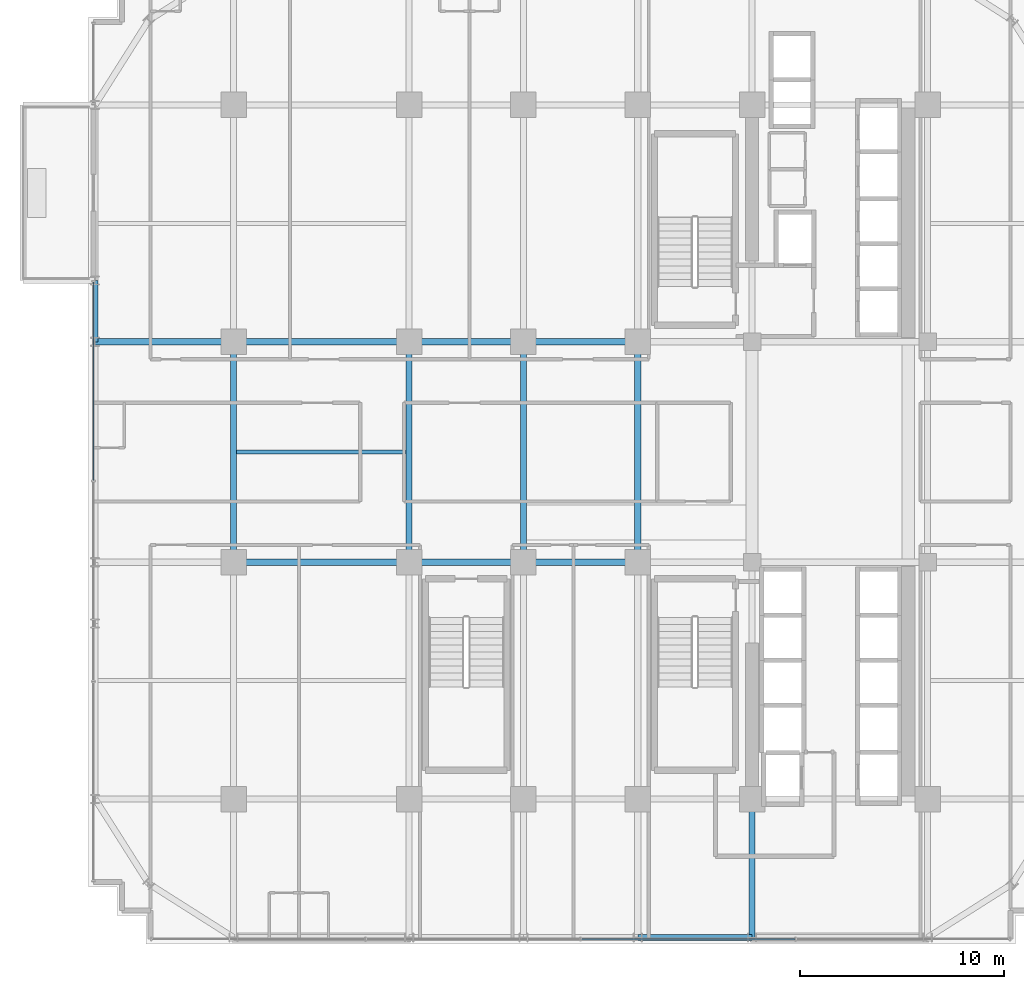
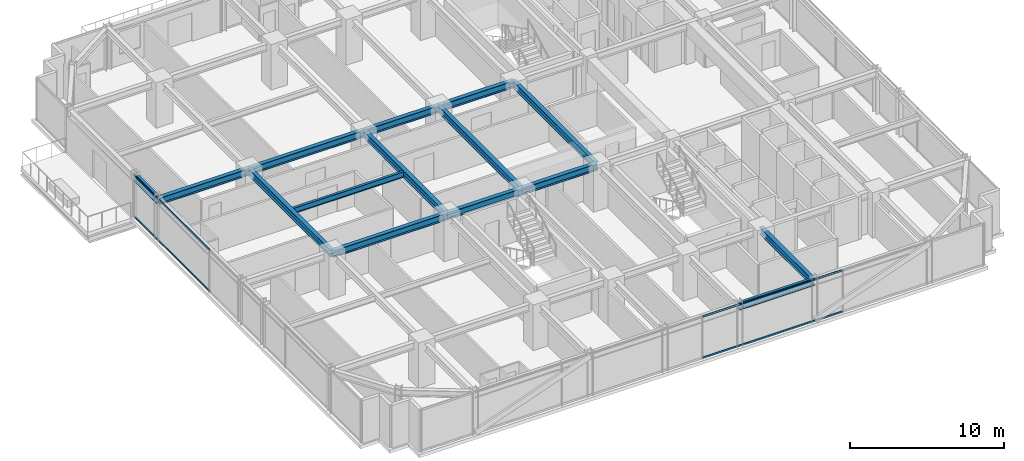
# One storey, part 9 of 35: 15 beams, 4 members, 2 elements without a shape of their own.
"""IFC4 building model written with IfcOpenShell, lengths in metres."""

from ifc_helpers import new_model, si_unit, direction, frame, origin, origin_2d, place, context, subcontext, project, spatial, hollow_rectangle, i_section, extrude, source, transform, mapped, material, material_profile, profile_set, type_object, element, aggregate, save


model = new_model("IFC4")

# Units and contexts
model_context = context("Model", 3, precision=1e-05, world=origin(), true_north=direction((0.0, 1.0)))
body_context = subcontext(model_context, "Body", "Model", "MODEL_VIEW")
ifc_project = project(units=[si_unit("LENGTHUNIT", "METRE"), si_unit("AREAUNIT", "SQUARE_METRE"), si_unit("VOLUMEUNIT", "CUBIC_METRE"), si_unit("PLANEANGLEUNIT", "RADIAN"), si_unit("MASSUNIT", "GRAM", prefix="KILO")], contexts=[model_context])

# Site, building, storey
site_placement = place(None, origin())
site = spatial("IfcSite", under=ifc_project, at=site_placement, CompositionType="ELEMENT")
building_placement = place(site_placement, origin())
building = spatial("IfcBuilding", under=site, at=building_placement, Name="Nahalor Promenade Grand Hotel", CompositionType="ELEMENT")
storey_placement = place(building_placement, frame((0.0, 0.0, 106.550048828125)))
storey = spatial("IfcBuildingStorey", under=building, at=storey_placement, Name="L26", CompositionType="ELEMENT", Elevation=106.550048828125)

# Beams
ifc_material_1 = material(Name="Steel S355JR", Category="steel")
ifc_material_profile_1 = material_profile(ifc_material_1, i_section(OverallWidth=0.3, OverallDepth=0.5, WebThickness=0.0145, FlangeThickness=0.028, at=origin_2d()), Name="HEB 500")
ifc_profile_set_1 = profile_set([ifc_material_profile_1], Name="Steel S355JR")
beam_type_1 = type_object("IfcBeamType", Name="Beam-Spandrel-HEB500", PredefinedType="SPANDREL", material=ifc_profile_set_1)
shared_shape_1 = source(origin(), body_context, "Body", "SweptSolid", [
    extrude(i_section(OverallWidth=0.3, OverallDepth=0.5, WebThickness=0.0145, FlangeThickness=0.028, at=origin_2d()), origin(), (0.0, 0.0, 1.0), 5.599853515625),
])
beam_1_placement = place(storey_placement, frame((2.800048828125, -23.780029296875, 3.1298828125), z_axis=(1.0, 0.0, 0.0), x_axis=(0.0, 1.0, 0.0)))
element("IfcBeam", 1, at=beam_1_placement, inside=storey, type_object=beam_type_1, Name="BM-L26-SP-S-3", PredefinedType="SPANDREL", context=body_context, shape_type="MappedRepresentation", body=[
    mapped(shared_shape_1, transform((0.0, 0.0, 0.0), scale=1.0)),
])
shared_shape_2 = source(origin(), body_context, "Body", "SweptSolid", [
    extrude(i_section(OverallWidth=0.3, OverallDepth=0.5, WebThickness=0.0145, FlangeThickness=0.028, at=origin_2d()), origin(), (0.0, 0.0, 1.0), 3.0),
])
beam_2_placement = place(storey_placement, frame((-23.780029296875, 5.39990234375, 3.1298828125), z_axis=(0.0, 1.0, 0.0), x_axis=(-1.0, 0.0, 0.0)))
element("IfcBeam", 2, at=beam_2_placement, inside=storey, type_object=beam_type_1, Name="BM-L26-SP-W-3", PredefinedType="SPANDREL", context=body_context, shape_type="MappedRepresentation", body=[
    mapped(shared_shape_2, transform((0.0, 0.0, 0.0), scale=1.0)),
])
ifc_material_profile_2 = material_profile(ifc_material_1, i_section(OverallWidth=0.3, OverallDepth=0.55, WebThickness=0.015, FlangeThickness=0.029, at=origin_2d()), Name="HEB 550")
ifc_profile_set_2 = profile_set([ifc_material_profile_2], Name="Steel S355JR")
beam_type_2 = type_object("IfcBeamType", Name="Beam-Girder-HEB550", PredefinedType="BEAM", material=ifc_profile_set_2)
shared_shape_3 = source(origin(), body_context, "Body", "SweptSolid", [
    extrude(i_section(OverallWidth=0.3, OverallDepth=0.55, WebThickness=0.015, FlangeThickness=0.029, at=origin_2d()), origin(), (0.0, 0.0, 1.0), 6.780029296875),
])
for number, where, z_axis, x_axis, name in (
    (3, (-23.780029296875, 5.39990234375, 3.10498046875), (1.0, 0.0, 0.0), (0.0, 1.0, 0.0), "BM-L26-GX-2-0"),
    (4, (8.39990234375, -23.780029296875, 3.10498046875), (0.0, 1.0, 0.0), (-1.0, 0.0, 0.0), "BM-L26-GY-4-0"),
):
    element("IfcBeam", number, at=place(storey_placement, frame(where, z_axis=z_axis, x_axis=x_axis)), inside=storey, type_object=beam_type_2, Name=name, PredefinedType="BEAM", context=body_context, shape_type="MappedRepresentation", body=[
        mapped(shared_shape_3, transform((0.0, 0.0, 0.0), scale=1.0)),
    ])
shared_shape_4 = source(origin(), body_context, "Body", "SweptSolid", [
    extrude(i_section(OverallWidth=0.3, OverallDepth=0.55, WebThickness=0.015, FlangeThickness=0.029, at=origin_2d()), origin(), (0.0, 0.0, 1.0), 8.60009765625),
])
for number, where, z_axis, x_axis, name in (
    (5, (-17.0, -5.39990234375, 3.10498046875), (1.0, 0.0, 0.0), (0.0, 1.0, 0.0), "BM-L26-GX-1-1"),
    (6, (-17.0, 5.39990234375, 3.10498046875), (1.0, 0.0, 0.0), (0.0, 1.0, 0.0), "BM-L26-GX-2-1"),
):
    element("IfcBeam", number, at=place(storey_placement, frame(where, z_axis=z_axis, x_axis=x_axis)), inside=storey, type_object=beam_type_2, Name=name, PredefinedType="BEAM", context=body_context, shape_type="MappedRepresentation", body=[
        mapped(shared_shape_4, transform((0.0, 0.0, 0.0), scale=1.0)),
    ])
shared_shape_5 = source(origin(), body_context, "Body", "SweptSolid", [
    extrude(i_section(OverallWidth=0.3, OverallDepth=0.55, WebThickness=0.015, FlangeThickness=0.029, at=origin_2d()), origin(), (0.0, 0.0, 1.0), 5.599853515625),
])
for number, where, z_axis, x_axis, name in (
    (7, (-8.39990234375, -5.39990234375, 3.10498046875), (1.0, 0.0, 0.0), (0.0, 1.0, 0.0), "BM-L26-GX-1-2"),
    (8, (-8.39990234375, 5.39990234375, 3.10498046875), (1.0, 0.0, 0.0), (0.0, 1.0, 0.0), "BM-L26-GX-2-2"),
):
    element("IfcBeam", number, at=place(storey_placement, frame(where, z_axis=z_axis, x_axis=x_axis)), inside=storey, type_object=beam_type_2, Name=name, PredefinedType="BEAM", context=body_context, shape_type="MappedRepresentation", body=[
        mapped(shared_shape_5, transform((0.0, 0.0, 0.0), scale=1.0)),
    ])
shared_shape_6 = source(origin(), body_context, "Body", "SweptSolid", [
    extrude(i_section(OverallWidth=0.3, OverallDepth=0.55, WebThickness=0.015, FlangeThickness=0.029, at=origin_2d()), origin(), (0.0, 0.0, 1.0), 5.60009765625),
])
for number, where, z_axis, x_axis, name in (
    (9, (-2.800048828125, -5.39990234375, 3.10498046875), (1.0, 0.0, 0.0), (0.0, 1.0, 0.0), "BM-L26-GX-1-3"),
    (10, (-2.800048828125, 5.39990234375, 3.10498046875), (1.0, 0.0, 0.0), (0.0, 1.0, 0.0), "BM-L26-GX-2-3"),
):
    element("IfcBeam", number, at=place(storey_placement, frame(where, z_axis=z_axis, x_axis=x_axis)), inside=storey, type_object=beam_type_2, Name=name, PredefinedType="BEAM", context=body_context, shape_type="MappedRepresentation", body=[
        mapped(shared_shape_6, transform((0.0, 0.0, 0.0), scale=1.0)),
    ])
shared_shape_7 = source(origin(), body_context, "Body", "SweptSolid", [
    extrude(i_section(OverallWidth=0.3, OverallDepth=0.55, WebThickness=0.015, FlangeThickness=0.029, at=origin_2d()), origin(), (0.0, 0.0, 1.0), 10.7998046875),
])
for number, where, z_axis, x_axis, name in (
    (11, (-17.0, -5.39990234375, 3.10498046875), (0.0, 1.0, 0.0), (-1.0, 0.0, 0.0), "BM-L26-GY-0-2"),
    (12, (-8.39990234375, -5.39990234375, 3.10498046875), (0.0, 1.0, 0.0), (-1.0, 0.0, 0.0), "BM-L26-GY-1-2"),
    (13, (-2.800048828125, -5.39990234375, 3.10498046875), (0.0, 1.0, 0.0), (-1.0, 0.0, 0.0), "BM-L26-GY-2-2"),
    (14, (2.800048828125, -5.39990234375, 3.10498046875), (0.0, 1.0, 0.0), (-1.0, 0.0, 0.0), "BM-L26-GY-3-2"),
):
    element("IfcBeam", number, at=place(storey_placement, frame(where, z_axis=z_axis, x_axis=x_axis)), inside=storey, type_object=beam_type_2, Name=name, PredefinedType="BEAM", context=body_context, shape_type="MappedRepresentation", body=[
        mapped(shared_shape_7, transform((0.0, 0.0, 0.0), scale=1.0)),
    ])
ifc_material_profile_3 = material_profile(ifc_material_1, i_section(OverallWidth=0.19, OverallDepth=0.45, WebThickness=0.0094, FlangeThickness=0.0146, at=origin_2d()), Name="IPE 450")
ifc_profile_set_3 = profile_set([ifc_material_profile_3], Name="Steel S355JR")
beam_type_3 = type_object("IfcBeamType", Name="Beam-Joist-IPE450", PredefinedType="JOIST", material=ifc_profile_set_3)
shared_shape_8 = source(origin(), body_context, "Body", "SweptSolid", [
    extrude(i_section(OverallWidth=0.19, OverallDepth=0.45, WebThickness=0.0094, FlangeThickness=0.0146, at=origin_2d()), origin(), (0.0, 0.0, 1.0), 8.300048828125),
])
beam_3_placement = place(storey_placement, frame((-16.85009765625, 0.0, 3.155029296875), z_axis=(1.0, 0.0, 0.0), x_axis=(0.0, 1.0, 0.0)))
element("IfcBeam", 15, at=beam_3_placement, inside=storey, type_object=beam_type_3, Name="BM-L26-JSC-0", PredefinedType="JOIST", context=body_context, shape_type="MappedRepresentation", body=[
    mapped(shared_shape_8, transform((0.0, 0.0, 0.0), scale=1.0)),
])

# Curtain wall, members
ifc_material_2 = material(Name="Anodised Bronze Aluminium EN AW-6063 T6", Category="aluminium")
curtain_wall_type = type_object("IfcCurtainWallType", Name="CW2 Typical Hotel Flush Bronze Unitised Curtain Wall", PredefinedType="USERDEFINED", material=ifc_material_2)
curtain_wall_1_placement = place(storey_placement, origin())
curtain_wall_1 = element("IfcCurtainWall", 16, at=curtain_wall_1_placement, inside=storey, type_object=curtain_wall_type, Name="L26 Curtain Wall CW-L26-W-1", ObjectType="UNITISED_CURTAIN_WALL", PredefinedType="USERDEFINED")
ifc_material_profile_4 = material_profile(ifc_material_2, hollow_rectangle(XDim=0.065, YDim=0.13, WallThickness=0.004, at=origin_2d()), Name="CWT 65x130x4")
ifc_profile_set_4 = profile_set([ifc_material_profile_4], Name="Anodised Bronze Aluminium EN AW-6063 T6")
member_type = type_object("IfcMemberType", Name="CWT2 Typical Bronze Transom 65x130", PredefinedType="USERDEFINED", material=ifc_profile_set_4)
shared_shape_9 = source(origin(), body_context, "Body", "SweptSolid", [
    extrude(hollow_rectangle(XDim=0.065, YDim=0.13, WallThickness=0.004, at=origin_2d()), origin(), (0.0, 0.0, 1.0), 9.722412109375),
])
member_1_placement = place(storey_placement, frame((-23.860107421875, -1.387451171875, 0.06494140625), z_axis=(0.0, 1.0, 0.0), x_axis=(-1.0, 0.0, 0.0)))
member_1 = element("IfcMember", 17, at=member_1_placement, type_object=member_type, Name="CW-L26-W-1 Transom 2-0", ObjectType="TRANSOM", PredefinedType="USERDEFINED", context=body_context, shape_type="MappedRepresentation", body=[
    mapped(shared_shape_9, transform((0.0, 0.0, 0.0), scale=1.0)),
])
member_2_placement = place(storey_placement, frame((-23.860107421875, -1.387451171875, 3.31494140625), z_axis=(0.0, 1.0, 0.0), x_axis=(-1.0, 0.0, 0.0)))
member_2 = element("IfcMember", 18, at=member_2_placement, type_object=member_type, Name="CW-L26-W-1 Transom 2-1", ObjectType="TRANSOM", PredefinedType="USERDEFINED", context=body_context, shape_type="MappedRepresentation", body=[
    mapped(shared_shape_9, transform((0.0, 0.0, 0.0), scale=1.0)),
])
aggregate(curtain_wall_1, [member_1, member_2])

curtain_wall_2_placement = place(storey_placement, origin())
curtain_wall_2 = element("IfcCurtainWall", 19, at=curtain_wall_2_placement, inside=storey, type_object=curtain_wall_type, Name="L26 Curtain Wall CW-L26-S-1", ObjectType="UNITISED_CURTAIN_WALL", PredefinedType="USERDEFINED")
shared_shape_10 = source(origin(), body_context, "Body", "SweptSolid", [
    extrude(hollow_rectangle(XDim=0.065, YDim=0.13, WallThickness=0.004, at=origin_2d()), origin(), (0.0, 0.0, 1.0), 10.465087890625),
])
member_3_placement = place(storey_placement, frame((0.032470703125, -23.860107421875, 0.06494140625), z_axis=(1.0, 0.0, 0.0), x_axis=(0.0, 1.0, 0.0)))
member_3 = element("IfcMember", 20, at=member_3_placement, type_object=member_type, Name="CW-L26-S-1 Transom 2-0", ObjectType="TRANSOM", PredefinedType="USERDEFINED", context=body_context, shape_type="MappedRepresentation", body=[
    mapped(shared_shape_10, transform((0.0, 0.0, 0.0), scale=1.0)),
])
member_4_placement = place(storey_placement, frame((0.032470703125, -23.860107421875, 3.31494140625), z_axis=(1.0, 0.0, 0.0), x_axis=(0.0, 1.0, 0.0)))
member_4 = element("IfcMember", 21, at=member_4_placement, type_object=member_type, Name="CW-L26-S-1 Transom 2-1", ObjectType="TRANSOM", PredefinedType="USERDEFINED", context=body_context, shape_type="MappedRepresentation", body=[
    mapped(shared_shape_10, transform((0.0, 0.0, 0.0), scale=1.0)),
])
aggregate(curtain_wall_2, [member_3, member_4])

save(model, "model.ifc")
